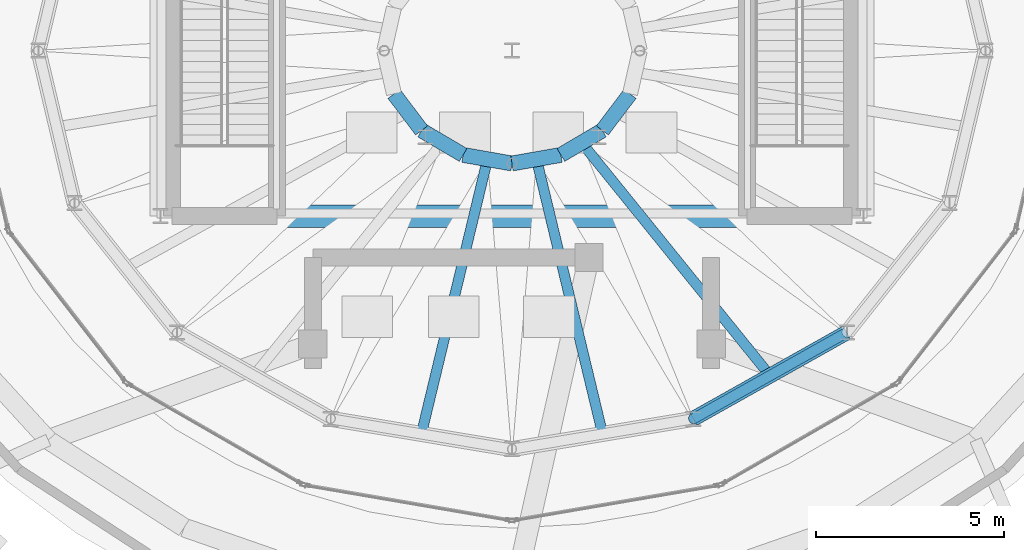
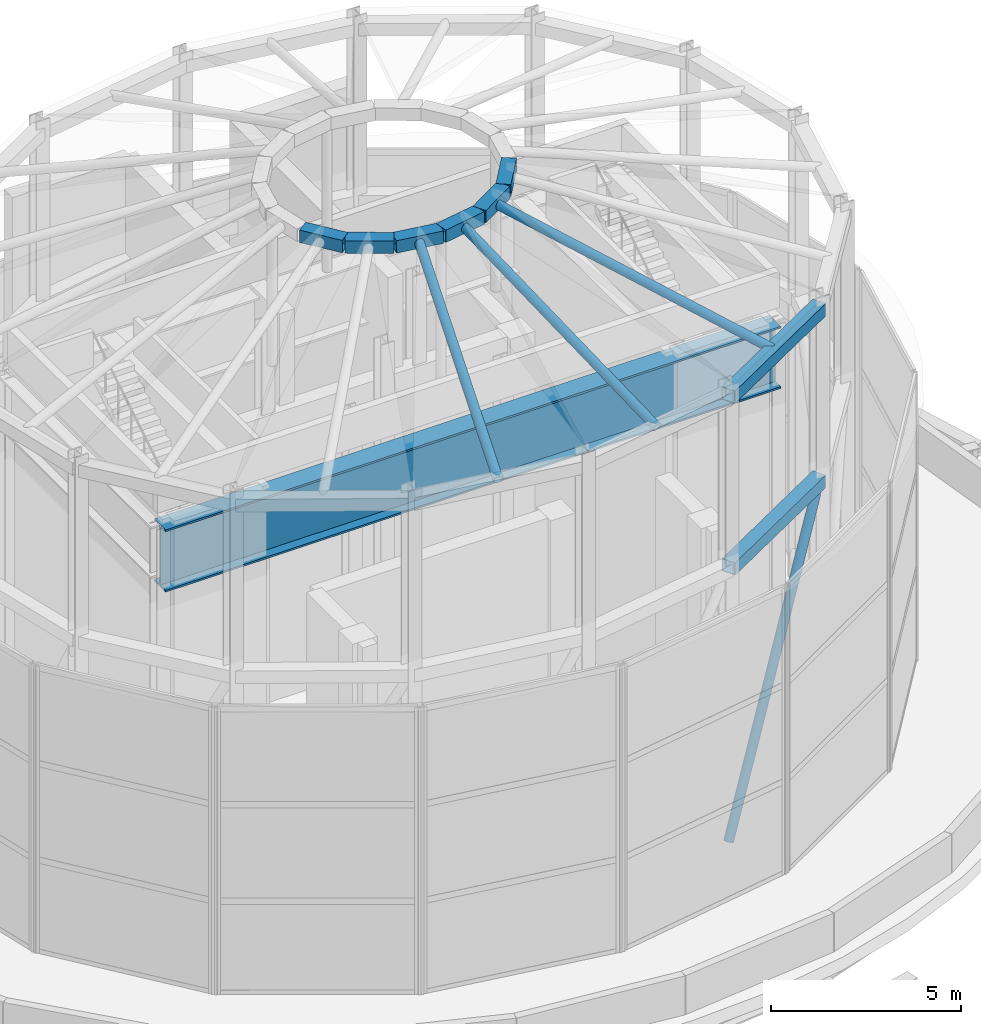
# One storey, part 7 of 22: 9 beams, 4 members.
"""IFC4 building model written with IfcOpenShell, lengths in metres."""

from ifc_helpers import new_model, si_unit, direction, frame, origin, origin_2d, place, context, subcontext, project, spatial, hollow_rectangle, hollow_circle, i_section, extrude, material, material_profile, profile_set, type_object, element, save


model = new_model("IFC4")

# Units and contexts
model_context = context("Model", 3, precision=1e-05, world=origin(), true_north=direction((0.0, 1.0)))
body_context = subcontext(model_context, "Body", "Model", "MODEL_VIEW")
ifc_project = project(units=[si_unit("LENGTHUNIT", "METRE"), si_unit("AREAUNIT", "SQUARE_METRE"), si_unit("VOLUMEUNIT", "CUBIC_METRE"), si_unit("PLANEANGLEUNIT", "RADIAN"), si_unit("MASSUNIT", "GRAM", prefix="KILO")], contexts=[model_context])

# Site, building, storey
site_placement = place(None, origin())
site = spatial("IfcSite", under=ifc_project, at=site_placement, CompositionType="ELEMENT")
building_placement = place(site_placement, origin())
building = spatial("IfcBuilding", under=site, at=building_placement, Name="Nuhasar Tower", CompositionType="ELEMENT")
storey_placement = place(building_placement, frame((0.0, 0.0, 313.39990234375)))
storey = spatial("IfcBuildingStorey", under=building, at=storey_placement, Name="Roof Drum", CompositionType="ELEMENT", Elevation=313.39990234375)

# Beams
ifc_material_1 = material(Name="Steel S355", Category="steel")
ifc_material_profile_1 = material_profile(ifc_material_1, hollow_rectangle(XDim=0.39990234375, YDim=0.39990234375, WallThickness=0.01611328125, at=origin_2d()), Name="HSS400X400X16")
ifc_profile_set_1 = profile_set([ifc_material_profile_1], Name="Steel S355")
beam_type_1 = type_object("IfcBeamType", Name="BM-CRN-HSS400", PredefinedType="SPANDREL", material=ifc_profile_set_1)
for number, where, z_axis, x_axis, name in (
    (1, (43.822021484375, 17.007080078125, 9.02001953125), (0.871720097716, 0.490004154306, 0.0), (-0.490004154306, 0.871720097716, 0.0), "Crown Drum Eave Ring Beam 14"),
    (2, (43.822021484375, 17.007080078125, 14.5400390625), (0.871720097716, 0.490004154306, 0.0), (-0.490004154306, 0.871720097716, 0.0), "Crown Drum Top Ring Beam 14"),
):
    element("IfcBeam", number, at=place(storey_placement, frame(where, z_axis=z_axis, x_axis=x_axis)), inside=storey, type_object=beam_type_1, Name=name, PredefinedType="SPANDREL", context=body_context, shape_type="SweptSolid", body=[
        extrude(hollow_rectangle(XDim=0.39990234375, YDim=0.39990234375, WallThickness=0.01611328125, at=origin_2d()), origin(), (0.0, 0.0, 1.0), 4.689453125),
    ])
beam_1_placement = place(storey_placement, frame((35.85888671875, 25.652099609375, 17.320068359375), z_axis=(0.603769124036, -0.797159234319, 0.0), x_axis=(0.797159234319, 0.603769124036, 0.0)))
element("IfcBeam", 3, at=beam_1_placement, inside=storey, type_object=beam_type_1, Name="Crown Upper Lantern Ring Beam 10", PredefinedType="SPANDREL", context=body_context, shape_type="SweptSolid", body=[
    extrude(hollow_rectangle(XDim=0.39990234375, YDim=0.39990234375, WallThickness=0.01611328125, at=origin_2d()), origin(), (0.0, 0.0, 1.0), 1.220703125),
])
beam_2_placement = place(storey_placement, frame((36.595947265625, 24.678955078125, 17.320068359375), z_axis=(0.861237553654, -0.508202593634, 0.0), x_axis=(0.508202593634, 0.861237553654, 0.0)))
element("IfcBeam", 4, at=beam_2_placement, inside=storey, type_object=beam_type_1, Name="Crown Upper Lantern Ring Beam 11", PredefinedType="SPANDREL", context=body_context, shape_type="SweptSolid", body=[
    extrude(hollow_rectangle(XDim=0.39990234375, YDim=0.39990234375, WallThickness=0.01611328125, at=origin_2d()), origin(), (0.0, 0.0, 1.0), 1.28076171875),
])
for number, where, z_axis, x_axis, name in (
    (5, (37.698974609375, 24.028076171875, 17.320068359375), (0.984985710435, -0.1726358892, 0.0), (0.1726358892, 0.984985710435, 0.0), "Crown Upper Lantern Ring Beam 12"),
    (6, (39.0, 23.800048828125, 17.320068359375), (0.984985710435, 0.1726358892, 0.0), (-0.1726358892, 0.984985710435, 0.0), "Crown Upper Lantern Ring Beam 13"),
):
    element("IfcBeam", number, at=place(storey_placement, frame(where, z_axis=z_axis, x_axis=x_axis)), inside=storey, type_object=beam_type_1, Name=name, PredefinedType="SPANDREL", context=body_context, shape_type="SweptSolid", body=[
        extrude(hollow_rectangle(XDim=0.39990234375, YDim=0.39990234375, WallThickness=0.01611328125, at=origin_2d()), origin(), (0.0, 0.0, 1.0), 1.32080078125),
    ])
beam_3_placement = place(storey_placement, frame((40.301025390625, 24.028076171875, 17.320068359375), z_axis=(0.861237553654, 0.508202593634, 0.0), x_axis=(-0.508202593634, 0.861237553654, 0.0)))
element("IfcBeam", 7, at=beam_3_placement, inside=storey, type_object=beam_type_1, Name="Crown Upper Lantern Ring Beam 14", PredefinedType="SPANDREL", context=body_context, shape_type="SweptSolid", body=[
    extrude(hollow_rectangle(XDim=0.39990234375, YDim=0.39990234375, WallThickness=0.01611328125, at=origin_2d()), origin(), (0.0, 0.0, 1.0), 1.28076171875),
])
beam_4_placement = place(storey_placement, frame((41.404052734375, 24.678955078125, 17.320068359375), z_axis=(0.603769124036, 0.797159234319, 0.0), x_axis=(-0.797159234319, 0.603769124036, 0.0)))
element("IfcBeam", 8, at=beam_4_placement, inside=storey, type_object=beam_type_1, Name="Crown Upper Lantern Ring Beam 15", PredefinedType="SPANDREL", context=body_context, shape_type="SweptSolid", body=[
    extrude(hollow_rectangle(XDim=0.39990234375, YDim=0.39990234375, WallThickness=0.01611328125, at=origin_2d()), origin(), (0.0, 0.0, 1.0), 1.220703125),
])
ifc_material_2 = material(Name="Steel S460", Category="steel")
ifc_material_profile_2 = material_profile(ifc_material_2, i_section(OverallWidth=0.60009765625, OverallDepth=2.0, WebThickness=0.035888671875, FlangeThickness=0.06005859375, at=origin_2d()), Name="PG2000X600")
ifc_profile_set_2 = profile_set([ifc_material_profile_2], Name="Steel S460")
beam_type_2 = type_object("IfcBeamType", Name="BM-XFER-PG2000", PredefinedType="USERDEFINED", material=ifc_profile_set_2)
beam_5_placement = place(storey_placement, frame((29.64990234375, 22.39990234375, 11.080078125), z_axis=(1.0, 0.0, 0.0), x_axis=(0.0, 1.0, 0.0)))
element("IfcBeam", 9, at=beam_5_placement, inside=storey, type_object=beam_type_2, Name="Crown Apex Plinth Transfer Girder 1", ObjectType="GIRDER", PredefinedType="USERDEFINED", context=body_context, shape_type="SweptSolid", body=[
    extrude(i_section(OverallWidth=0.60009765625, OverallDepth=2.0, WebThickness=0.035888671875, FlangeThickness=0.06005859375, at=origin_2d()), origin(), (0.0, 0.0, 1.0), 18.7001953125),
])

# Members
ifc_material_profile_3 = material_profile(ifc_material_1, hollow_circle(Radius=0.136474609375, WallThickness=0.0126953125, at=origin_2d()), Name="HSS273.1X12.7")
ifc_profile_set_3 = profile_set([ifc_material_profile_3], Name="Steel S355")
member_type_1 = type_object("IfcMemberType", Name="CRN-DIAG-273", PredefinedType="BRACE", material=ifc_profile_set_3)
member_1_placement = place(storey_placement, frame((43.822021484375, 17.007080078125, 0.2001953125), z_axis=(0.409238918422, 0.230038025573, 0.882953008058), x_axis=(-0.490004154306, 0.871720097716, 0.0)))
element("IfcMember", 10, at=member_1_placement, inside=storey, type_object=member_type_1, Name="Crown Drum Frame Brace 14", PredefinedType="BRACE", context=body_context, shape_type="SweptSolid", body=[
    extrude(hollow_circle(Radius=0.136474609375, WallThickness=0.0126953125, at=origin_2d()), origin(), (0.0, 0.0, 1.0), 9.989013671875),
])
ifc_material_profile_4 = material_profile(ifc_material_2, hollow_circle(Radius=0.136474609375, WallThickness=0.0126953125, at=origin_2d()), Name="HSS273.1X12.7")
ifc_profile_set_4 = profile_set([ifc_material_profile_4], Name="Steel S460")
member_type_2 = type_object("IfcMemberType", Name="CRN-RAFTER-273", PredefinedType="RAFTER", material=ifc_profile_set_4)
for number, where, z_axis, x_axis, name in (
    (11, (36.589111328125, 16.60400390625, 14.60009765625), (0.219740014217, 0.912672424148, 0.344591602264), (-0.972218163821, 0.234076572807, 0.0), "Crown Dome Radial Bearing Rafter 12"),
    (12, (41.410888671875, 16.60400390625, 14.60009765625), (-0.219740014217, 0.912672424148, 0.344591602264), (-0.972218163821, -0.234076572807, 0.0), "Crown Dome Radial Bearing Rafter 13"),
):
    element("IfcMember", number, at=place(storey_placement, frame(where, z_axis=z_axis, x_axis=x_axis)), inside=storey, type_object=member_type_2, Name=name, PredefinedType="RAFTER", context=body_context, shape_type="SweptSolid", body=[
        extrude(hollow_circle(Radius=0.136474609375, WallThickness=0.0126953125, at=origin_2d()), origin(), (0.0, 0.0, 1.0), 8.009521484375),
    ])
member_2_placement = place(storey_placement, frame((45.865966796875, 18.156005859375, 14.60009765625), z_axis=(-0.594297794312, 0.734673983978, 0.327206767871), x_axis=(-0.777471647224, -0.628917989696, 0.0)))
element("IfcMember", 13, at=member_2_placement, inside=storey, type_object=member_type_2, Name="Crown Dome Radial Bearing Rafter 14", PredefinedType="RAFTER", context=body_context, shape_type="SweptSolid", body=[
    extrude(hollow_circle(Radius=0.136474609375, WallThickness=0.0126953125, at=origin_2d()), origin(), (0.0, 0.0, 1.0), 8.43505859375),
])

save(model, "model.ifc")
